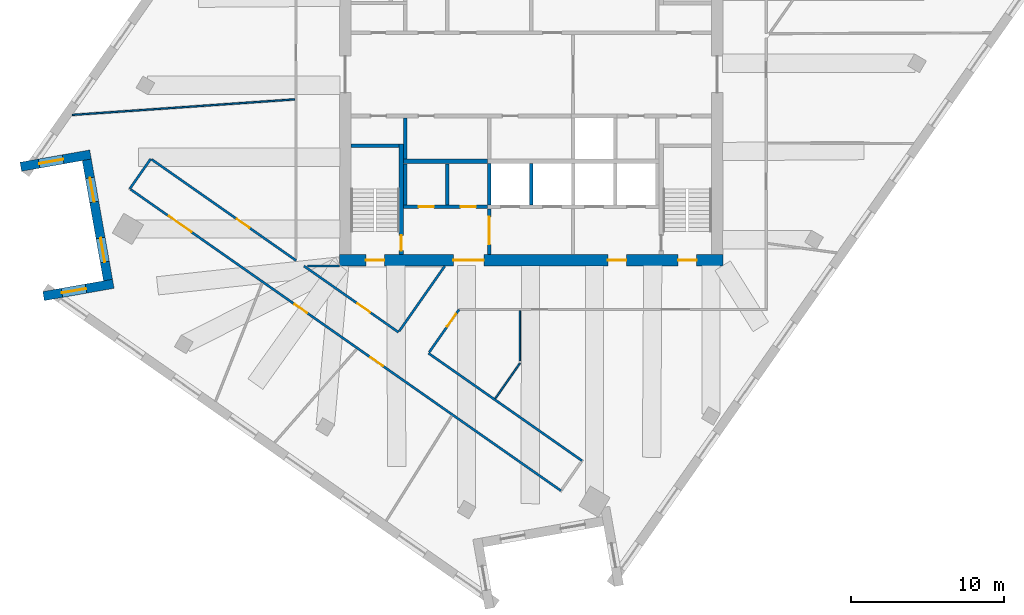
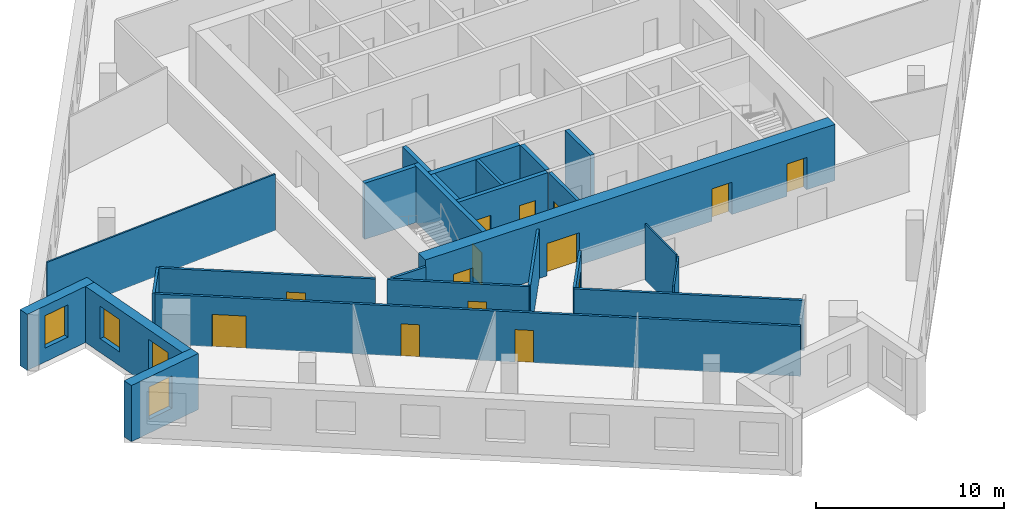
# One storey, part 6 of 13: 25 walls, 14 doors, 4 windows, 18 openings.
"""IFC4 building model written with IfcOpenShell, lengths in metres."""

from ifc_helpers import new_model, si_unit, direction, frame, frame_2d, origin, place, context, subcontext, project, spatial, rectangle, extrude, material, layer, layer_set, type_object, element, fill, save


model = new_model("IFC4")

# Units and contexts
model_context = context("Model", 3, precision=1e-05, world=origin(), true_north=direction((0.0, 1.0)))
body_context = subcontext(model_context, "Body", "Model", "MODEL_VIEW")
ifc_project = project(units=[si_unit("LENGTHUNIT", "METRE"), si_unit("AREAUNIT", "SQUARE_METRE"), si_unit("VOLUMEUNIT", "CUBIC_METRE"), si_unit("PLANEANGLEUNIT", "RADIAN"), si_unit("MASSUNIT", "GRAM", prefix="KILO")], contexts=[model_context])

# Site, building, storey
site_placement = place(None, origin())
site = spatial("IfcSite", under=ifc_project, at=site_placement, CompositionType="ELEMENT")
building_placement = place(site_placement, origin())
building = spatial("IfcBuilding", under=site, at=building_placement, Name="Dilmun Exchange Tower", CompositionType="ELEMENT")
storey_placement = place(building_placement, frame((0.0, 0.0, 242.89990234375)))
storey = spatial("IfcBuildingStorey", under=building, at=storey_placement, Name="L57", CompositionType="ELEMENT", Elevation=242.89990234375)

# Wall, opening, door
ifc_material_1 = material(Name="Concrete C40/50", Category="concrete")
ifc_layer_1 = layer(ifc_material_1, 0.199951171875)
ifc_layer_set_1 = layer_set([ifc_layer_1], Name="Concrete C40/50")
wall_type_1 = type_object("IfcWallType", Name="Core partition wall 200", PredefinedType="PARTITIONING", material=ifc_layer_set_1)
wall_1_placement = place(storey_placement, frame((-2.75, -11.794921875, 0.0), z_axis=(0.0, 0.0, 1.0), x_axis=(0.0, 1.0, 0.0)))
wall_1 = element("IfcWall", 1, at=wall_1_placement, inside=storey, type_object=wall_type_1, Name="L57 core partition wall 01", PredefinedType="PARTITIONING", context=body_context, shape_type="SweptSolid", body=[
    extrude(rectangle(XDim=2.989990234375, YDim=0.199951171875, at=frame_2d((1.4951171875, 0.0))), origin(), (0.0, 0.0, 1.0), 3.64013671875),
])
opening_1_placement = place(wall_1_placement, frame((0.657470703125, 0.0, 0.0)))
opening_1 = element("IfcOpeningElement", 2, at=opening_1_placement, cuts=wall_1, Name="Opening CD5", PredefinedType="OPENING", context=body_context, shape_type="SweptSolid", body=[
    extrude(rectangle(XDim=1.800048828125, YDim=2.10009765625, at=frame_2d((0.89990234375, 1.050048828125))), frame((0.0, 0.10986328125, 0.0), z_axis=(0.0, -1.0, 0.0), x_axis=(1.0, 0.0, 0.0)), (0.0, 0.0, 1.0), 0.219970703125),
])
ifc_material_2 = material(Name="Fire-rated steel door set", Category="steel")
door_type_1 = type_object("IfcDoorType", Name="Stair exit door 1800x2100", OperationType="SINGLE_SWING_LEFT", PredefinedType="DOOR", material=ifc_material_2)
door_1_placement = place(opening_1_placement, origin())
door_1 = element("IfcDoor", 3, at=door_1_placement, inside=storey, type_object=door_type_1, Name="L57 door Service lobby east", OperationType="SINGLE_SWING_LEFT", OverallHeight=2.10009765625, OverallWidth=1.800048828125, PredefinedType="DOOR", context=body_context, shape_type="SweptSolid", body=[
    extrude(rectangle(XDim=1.800048828125, YDim=2.10009765625, at=frame_2d((0.89990234375, 1.050048828125))), frame((0.0, 0.02490234375, 0.0), z_axis=(0.0, -1.0, 0.0), x_axis=(1.0, 0.0, 0.0)), (0.0, 0.0, 1.0), 0.050048828125),
])
fill(opening_1, door_1)

# Wall
wall_2_placement = place(storey_placement, frame((-5.5, -8.544921875, 0.0), z_axis=(0.0, 0.0, 1.0), x_axis=(0.0, 1.0, 0.0)))
element("IfcWall", 4, at=wall_2_placement, inside=storey, type_object=wall_type_1, Name="L57 core partition wall 05", PredefinedType="PARTITIONING", context=body_context, shape_type="SweptSolid", body=[
    extrude(rectangle(XDim=2.68994140625, YDim=0.199951171875, at=frame_2d((1.344970703125, 0.0))), origin(), (0.0, 0.0, 1.0), 3.64013671875),
])

# Wall, openings, doors
ifc_layer_2 = layer(ifc_material_1, 0.25)
ifc_layer_set_2 = layer_set([ifc_layer_2], Name="Concrete C40/50")
wall_type_2 = type_object("IfcWallType", Name="Core partition wall 250", PredefinedType="PARTITIONING", material=ifc_layer_set_2)
wall_3_placement = place(storey_placement, frame((-8.3701171875, -8.675048828125, 0.0), z_axis=(0.0, 0.0, 1.0), x_axis=(1.0, 0.0, 0.0)))
wall_3 = element("IfcWall", 5, at=wall_3_placement, inside=storey, type_object=wall_type_2, Name="L57 core partition wall 03", PredefinedType="PARTITIONING", context=body_context, shape_type="SweptSolid", body=[
    extrude(rectangle(XDim=5.490234375, YDim=0.25, at=frame_2d((2.7451171875, 0.0))), origin(), (0.0, 0.0, 1.0), 3.64013671875),
])
opening_2_placement = place(wall_3_placement, frame((0.9951171875, 0.0, 0.0)))
opening_2 = element("IfcOpeningElement", 6, at=opening_2_placement, cuts=wall_3, Name="Opening CD4", PredefinedType="OPENING", context=body_context, shape_type="SweptSolid", body=[
    extrude(rectangle(XDim=1.0, YDim=2.10009765625, at=frame_2d((0.5, 1.050048828125))), frame((0.0, 0.135009765625, 0.0), z_axis=(0.0, -1.0, 0.0), x_axis=(1.0, 0.0, 0.0)), (0.0, 0.0, 1.0), 0.27001953125),
])
opening_3_placement = place(wall_3_placement, frame((3.7451171875, 0.0, 0.0)))
opening_3 = element("IfcOpeningElement", 7, at=opening_3_placement, cuts=wall_3, Name="Opening CD4", PredefinedType="OPENING", context=body_context, shape_type="SweptSolid", body=[
    extrude(rectangle(XDim=1.0, YDim=2.10009765625, at=frame_2d((0.5, 1.050048828125))), frame((0.0, 0.135009765625, 0.0), z_axis=(0.0, -1.0, 0.0), x_axis=(1.0, 0.0, 0.0)), (0.0, 0.0, 1.0), 0.27001953125),
])
door_type_2 = type_object("IfcDoorType", Name="Core room door 1000x2100", OperationType="SINGLE_SWING_LEFT", PredefinedType="DOOR", material=ifc_material_2)
door_2_placement = place(opening_2_placement, origin())
door_2 = element("IfcDoor", 8, at=door_2_placement, inside=storey, type_object=door_type_2, Name="L57 door Male WC", OperationType="SINGLE_SWING_RIGHT", OverallHeight=2.10009765625, OverallWidth=1.0, PredefinedType="DOOR", context=body_context, shape_type="SweptSolid", body=[
    extrude(rectangle(XDim=1.0, YDim=2.10009765625, at=frame_2d((0.5, 1.050048828125))), frame((0.0, 0.02490234375, 0.0), z_axis=(0.0, -1.0, 0.0), x_axis=(1.0, 0.0, 0.0)), (0.0, 0.0, 1.0), 0.050048828125),
])
fill(opening_2, door_2)
door_3_placement = place(opening_3_placement, origin())
door_3 = element("IfcDoor", 9, at=door_3_placement, inside=storey, type_object=door_type_2, Name="L57 door Female WC", OperationType="SINGLE_SWING_RIGHT", OverallHeight=2.10009765625, OverallWidth=1.0, PredefinedType="DOOR", context=body_context, shape_type="SweptSolid", body=[
    extrude(rectangle(XDim=1.0, YDim=2.10009765625, at=frame_2d((0.5, 1.050048828125))), frame((0.0, 0.02490234375, 0.0), z_axis=(0.0, -1.0, 0.0), x_axis=(1.0, 0.0, 0.0)), (0.0, 0.0, 1.0), 0.050048828125),
])
fill(opening_3, door_3)

# Walls
for number, where, z_axis, x_axis, name in (
    (10, (-8.25, -8.544921875, 0.0), (0.0, 0.0, 1.0), (0.0, 1.0, 0.0), "L57 core partition wall 04"),
    (11, (-8.25, -5.544921875, 0.0), (0.0, 0.0, 1.0), (0.0, 1.0, 0.0), "L57 core partition wall 07"),
):
    element("IfcWall", number, at=place(storey_placement, frame(where, z_axis=z_axis, x_axis=x_axis)), inside=storey, type_object=wall_type_2, Name=name, PredefinedType="PARTITIONING", context=body_context, shape_type="SweptSolid", body=[
        extrude(rectangle(XDim=2.68994140625, YDim=0.25, at=frame_2d((1.344970703125, 0.0))), origin(), (0.0, 0.0, 1.0), 3.64013671875),
    ])
ifc_layer_3 = layer(ifc_material_1, 0.300048828125)
ifc_layer_set_3 = layer_set([ifc_layer_3], Name="Concrete C40/50")
wall_type_3 = type_object("IfcWallType", Name="Core partition wall 300", PredefinedType="PARTITIONING", material=ifc_layer_set_3)
wall_4_placement = place(storey_placement, frame((-8.35009765625, -5.699951171875, 0.0), z_axis=(0.0, 0.0, 1.0), x_axis=(1.0, 0.0, 0.0)))
element("IfcWall", 12, at=wall_4_placement, inside=storey, type_object=wall_type_3, Name="L57 core partition wall 06", PredefinedType="PARTITIONING", context=body_context, shape_type="SweptSolid", body=[
    extrude(rectangle(XDim=5.47021484375, YDim=0.300048828125, at=frame_2d((2.735107421875, 0.0))), origin(), (0.0, 0.0, 1.0), 3.64013671875),
])

# Wall, openings, doors
ifc_material_3 = material(Name="Concrete C50/60", Category="concrete")
ifc_layer_4 = layer(ifc_material_3, 0.75)
ifc_layer_set_4 = layer_set([ifc_layer_4], Name="Concrete C50/60")
wall_type_4 = type_object("IfcWallType", Name="Core shear wall 750 Concrete C50/60", PredefinedType="SHEAR", material=ifc_layer_set_4)
wall_5_placement = place(storey_placement, frame((-12.550048828125, -12.175048828125, 0.0), z_axis=(0.0, 0.0, 1.0), x_axis=(1.0, 0.0, 0.0)))
wall_5 = element("IfcWall", 13, at=wall_5_placement, inside=storey, type_object=wall_type_4, Name="L57 core shear wall S", PredefinedType="SHEAR", context=body_context, shape_type="SweptSolid", body=[
    extrude(rectangle(XDim=25.10009765625, YDim=0.75, at=frame_2d((12.550048828125, 0.0))), origin(), (0.0, 0.0, 1.0), 3.64013671875),
])
opening_4_placement = place(wall_5_placement, frame((7.449951171875, 0.0, 0.0)))
opening_4 = element("IfcOpeningElement", 14, at=opening_4_placement, cuts=wall_5, Name="Opening CD2", PredefinedType="OPENING", context=body_context, shape_type="SweptSolid", body=[
    extrude(rectangle(XDim=2.0, YDim=2.10009765625, at=frame_2d((1.0, 1.050048828125))), frame((0.0, 0.385009765625, 0.0), z_axis=(0.0, -1.0, 0.0), x_axis=(1.0, 0.0, 0.0)), (0.0, 0.0, 1.0), 0.77001953125),
])
opening_5_placement = place(wall_5_placement, frame((17.574951171875, 0.0, 0.0)))
opening_5 = element("IfcOpeningElement", 15, at=opening_5_placement, cuts=wall_5, Name="Opening CD3", PredefinedType="OPENING", context=body_context, shape_type="SweptSolid", body=[
    extrude(rectangle(XDim=1.199951171875, YDim=2.10009765625, at=frame_2d((0.60009765625, 1.050048828125))), frame((0.0, 0.385009765625, 0.0), z_axis=(0.0, -1.0, 0.0), x_axis=(1.0, 0.0, 0.0)), (0.0, 0.0, 1.0), 0.77001953125),
])
opening_6_placement = place(wall_5_placement, frame((1.72509765625, 0.0, 0.0)))
opening_6 = element("IfcOpeningElement", 16, at=opening_6_placement, cuts=wall_5, Name="Opening CD3", PredefinedType="OPENING", context=body_context, shape_type="SweptSolid", body=[
    extrude(rectangle(XDim=1.199951171875, YDim=2.10009765625, at=frame_2d((0.60009765625, 1.050048828125))), frame((0.0, 0.385009765625, 0.0), z_axis=(0.0, -1.0, 0.0), x_axis=(1.0, 0.0, 0.0)), (0.0, 0.0, 1.0), 0.77001953125),
])
opening_7_placement = place(wall_5_placement, frame((22.175048828125, 0.0, 0.0)))
opening_7 = element("IfcOpeningElement", 17, at=opening_7_placement, cuts=wall_5, Name="Opening CD3", PredefinedType="OPENING", context=body_context, shape_type="SweptSolid", body=[
    extrude(rectangle(XDim=1.199951171875, YDim=2.10009765625, at=frame_2d((0.60009765625, 1.050048828125))), frame((0.0, 0.385009765625, 0.0), z_axis=(0.0, -1.0, 0.0), x_axis=(1.0, 0.0, 0.0)), (0.0, 0.0, 1.0), 0.77001953125),
])
door_type_3 = type_object("IfcDoorType", Name="Core service door 2000x2100", OperationType="DOUBLE_DOOR_DOUBLE_SWING", PredefinedType="DOOR", material=ifc_material_2)
door_4_placement = place(opening_4_placement, origin())
door_4 = element("IfcDoor", 18, at=door_4_placement, inside=storey, type_object=door_type_3, Name="L57 door South service lobby", OperationType="SINGLE_SWING_LEFT", OverallHeight=2.10009765625, OverallWidth=2.0, PredefinedType="DOOR", context=body_context, shape_type="SweptSolid", body=[
    extrude(rectangle(XDim=2.0, YDim=2.10009765625, at=frame_2d((1.0, 1.050048828125))), frame((0.0, 0.02490234375, 0.0), z_axis=(0.0, -1.0, 0.0), x_axis=(1.0, 0.0, 0.0)), (0.0, 0.0, 1.0), 0.050048828125),
])
fill(opening_4, door_4)
door_type_4 = type_object("IfcDoorType", Name="Stair exit door 1200x2100", OperationType="SINGLE_SWING_LEFT", PredefinedType="DOOR", material=ifc_material_2)
door_5_placement = place(opening_5_placement, origin())
door_5 = element("IfcDoor", 19, at=door_5_placement, inside=storey, type_object=door_type_4, Name="L57 door Fire-fighting lobby", OperationType="SINGLE_SWING_LEFT", OverallHeight=2.10009765625, OverallWidth=1.199951171875, PredefinedType="DOOR", context=body_context, shape_type="SweptSolid", body=[
    extrude(rectangle(XDim=1.199951171875, YDim=2.10009765625, at=frame_2d((0.60009765625, 1.050048828125))), frame((0.0, 0.02490234375, 0.0), z_axis=(0.0, -1.0, 0.0), x_axis=(1.0, 0.0, 0.0)), (0.0, 0.0, 1.0), 0.050048828125),
])
fill(opening_5, door_5)
door_6_placement = place(opening_6_placement, origin())
door_6 = element("IfcDoor", 20, at=door_6_placement, inside=storey, type_object=door_type_4, Name="L57 door Stair ST2", OperationType="SINGLE_SWING_LEFT", OverallHeight=2.10009765625, OverallWidth=1.199951171875, PredefinedType="DOOR", context=body_context, shape_type="SweptSolid", body=[
    extrude(rectangle(XDim=1.199951171875, YDim=2.10009765625, at=frame_2d((0.60009765625, 1.050048828125))), frame((0.0, 0.02490234375, 0.0), z_axis=(0.0, -1.0, 0.0), x_axis=(1.0, 0.0, 0.0)), (0.0, 0.0, 1.0), 0.050048828125),
])
fill(opening_6, door_6)
door_7_placement = place(opening_7_placement, origin())
door_7 = element("IfcDoor", 21, at=door_7_placement, inside=storey, type_object=door_type_4, Name="L57 door Stair ST3", OperationType="SINGLE_SWING_LEFT", OverallHeight=2.10009765625, OverallWidth=1.199951171875, PredefinedType="DOOR", context=body_context, shape_type="SweptSolid", body=[
    extrude(rectangle(XDim=1.199951171875, YDim=2.10009765625, at=frame_2d((0.60009765625, 1.050048828125))), frame((0.0, 0.02490234375, 0.0), z_axis=(0.0, -1.0, 0.0), x_axis=(1.0, 0.0, 0.0)), (0.0, 0.0, 1.0), 0.050048828125),
])
fill(opening_7, door_7)

# Wall
ifc_material_4 = material(Name="Corridor wall 150")
ifc_layer_5 = layer(ifc_material_4, 0.14990234375)
ifc_layer_set_5 = layer_set([ifc_layer_5], Name="Corridor wall 150")
wall_type_5 = type_object("IfcWallType", Name="Corridor wall 150", PredefinedType="PARTITIONING", material=ifc_layer_set_5)
wall_6_placement = place(storey_placement, frame((-26.2919921875, -7.493896484375, 0.0), z_axis=(0.0, 0.0, 1.0), x_axis=(0.573708088123, 0.819059844958, 0.0)))
element("IfcWall", 22, at=wall_6_placement, inside=storey, type_object=wall_type_5, Name="Corridor wall", PredefinedType="PARTITIONING", context=body_context, shape_type="SweptSolid", body=[
    extrude(rectangle(XDim=2.400146484375, YDim=0.14990234375, at=frame_2d((1.2001953125, 0.0))), origin(), (0.0, 0.0, 1.0), 3.239990234375),
])

# Wall, openings, doors
wall_7_placement = place(storey_placement, frame((-26.230712890625, -7.537109375, 0.0), z_axis=(0.0, 0.0, 1.0), x_axis=(0.819166569978, -0.573555690959, 0.0)))
wall_7 = element("IfcWall", 23, at=wall_7_placement, inside=storey, type_object=wall_type_5, Name="Corridor wall", PredefinedType="PARTITIONING", context=body_context, shape_type="SweptSolid", body=[
    extrude(rectangle(XDim=34.40283203125, YDim=0.14990234375, at=frame_2d((17.201416015625, 0.0))), origin(), (0.0, 0.0, 1.0), 3.239990234375),
])
opening_8_placement = place(wall_7_placement, frame((3.050048828125, 0.0, 0.0)))
opening_8 = element("IfcOpeningElement", 24, at=opening_8_placement, cuts=wall_7, Name="Opening TF57-D01", PredefinedType="OPENING", context=body_context, shape_type="SweptSolid", body=[
    extrude(rectangle(XDim=1.800048828125, YDim=2.10009765625, at=frame_2d((0.89990234375, 1.050048828125))), frame((0.0, 0.0849609375, 0.0), z_axis=(0.0, -1.0, 0.0), x_axis=(1.0, 0.0, 0.0)), (0.0, 0.0, 1.0), 0.169921875),
])
opening_9_placement = place(wall_7_placement, frame((13.102783203125, 0.0, 0.0)))
opening_9 = element("IfcOpeningElement", 25, at=opening_9_placement, cuts=wall_7, Name="Opening TF57-D04", PredefinedType="OPENING", context=body_context, shape_type="SweptSolid", body=[
    extrude(rectangle(XDim=1.0, YDim=2.10009765625, at=frame_2d((0.5, 1.050048828125))), frame((0.0, 0.0849609375, 0.0), z_axis=(0.0, -1.0, 0.0), x_axis=(1.0, 0.0, 0.0)), (0.0, 0.0, 1.0), 0.169921875),
])
opening_10_placement = place(wall_7_placement, frame((19.17333984375, 0.0, 0.0)))
opening_10 = element("IfcOpeningElement", 26, at=opening_10_placement, cuts=wall_7, Name="Opening TF57-D05", PredefinedType="OPENING", context=body_context, shape_type="SweptSolid", body=[
    extrude(rectangle(XDim=1.0, YDim=2.10009765625, at=frame_2d((0.5, 1.050048828125))), frame((0.0, 0.0849609375, 0.0), z_axis=(0.0, -1.0, 0.0), x_axis=(1.0, 0.0, 0.0)), (0.0, 0.0, 1.0), 0.169921875),
])
ifc_material_5 = material(Name="Fire door 1000 x 2100")
door_type_5 = type_object("IfcDoorType", Name="Fire door 1000 x 2100", OperationType="NOTDEFINED", PredefinedType="DOOR", material=ifc_material_5)
door_8_placement = place(opening_9_placement, frame((1.0, 0.0, 0.0), z_axis=(0.0, 0.0, 1.0), x_axis=(-1.0, 0.0, 0.0)))
door_8 = element("IfcDoor", 27, at=door_8_placement, inside=storey, type_object=door_type_5, Name="Door TF57-D04", OperationType="SINGLE_SWING_LEFT", OverallHeight=2.10009765625, OverallWidth=1.0, PredefinedType="DOOR", context=body_context, shape_type="SweptSolid", body=[
    extrude(rectangle(XDim=1.0, YDim=2.10009765625, at=frame_2d((0.5, 1.050048828125))), frame((0.0, 0.02490234375, 0.0), z_axis=(0.0, -1.0, 0.0), x_axis=(1.0, 0.0, 0.0)), (0.0, 0.0, 1.0), 0.050048828125),
])
fill(opening_9, door_8)
door_9_placement = place(opening_10_placement, frame((1.0, 0.0, 0.0), z_axis=(0.0, 0.0, 1.0), x_axis=(-1.0, 0.0, 0.0)))
door_9 = element("IfcDoor", 28, at=door_9_placement, inside=storey, type_object=door_type_5, Name="Door TF57-D05", OperationType="SINGLE_SWING_RIGHT", OverallHeight=2.10009765625, OverallWidth=1.0, PredefinedType="DOOR", context=body_context, shape_type="SweptSolid", body=[
    extrude(rectangle(XDim=1.0, YDim=2.10009765625, at=frame_2d((0.5, 1.050048828125))), frame((0.0, 0.02490234375, 0.0), z_axis=(0.0, -1.0, 0.0), x_axis=(1.0, 0.0, 0.0)), (0.0, 0.0, 1.0), 0.050048828125),
])
fill(opening_10, door_9)
ifc_material_6 = material(Name="Fire door pair 1800 x 2100")
door_type_6 = type_object("IfcDoorType", Name="Fire door pair 1800 x 2100", OperationType="NOTDEFINED", PredefinedType="DOOR", material=ifc_material_6)
door_10_placement = place(opening_8_placement, frame((1.800048828125, 0.0, 0.0), z_axis=(0.0, 0.0, 1.0), x_axis=(-1.0, 0.0, 0.0)))
door_10 = element("IfcDoor", 29, at=door_10_placement, inside=storey, type_object=door_type_6, Name="Door TF57-D01", OperationType="DOUBLE_DOOR_SINGLE_SWING", OverallHeight=2.10009765625, OverallWidth=1.800048828125, PredefinedType="DOOR", context=body_context, shape_type="SweptSolid", body=[
    extrude(rectangle(XDim=1.800048828125, YDim=2.10009765625, at=frame_2d((0.89990234375, 1.050048828125))), frame((0.0, 0.02490234375, 0.0), z_axis=(0.0, -1.0, 0.0), x_axis=(1.0, 0.0, 0.0)), (0.0, 0.0, 1.0), 0.050048828125),
])
fill(opening_8, door_10)

# Wall, opening, door
wall_8_placement = place(storey_placement, frame((-24.853515625, -5.571044921875, 0.0), z_axis=(0.0, 0.0, 1.0), x_axis=(0.819176259714, -0.573541851586, 0.0)))
wall_8 = element("IfcWall", 30, at=wall_8_placement, inside=storey, type_object=wall_type_5, Name="Corridor wall", PredefinedType="PARTITIONING", context=body_context, shape_type="SweptSolid", body=[
    extrude(rectangle(XDim=11.540283203125, YDim=0.14990234375, at=frame_2d((5.77001953125, 0.0))), origin(), (0.0, 0.0, 1.0), 3.239990234375),
])
opening_11_placement = place(wall_8_placement, frame((6.800048828125, 0.0, 0.0)))
opening_11 = element("IfcOpeningElement", 31, at=opening_11_placement, cuts=wall_8, Name="Opening TF57-D02", PredefinedType="OPENING", context=body_context, shape_type="SweptSolid", body=[
    extrude(rectangle(XDim=1.0, YDim=2.10009765625, at=frame_2d((0.5, 1.050048828125))), frame((0.0, 0.0849609375, 0.0), z_axis=(0.0, -1.0, 0.0), x_axis=(1.0, 0.0, 0.0)), (0.0, 0.0, 1.0), 0.169921875),
])
door_11_placement = place(opening_11_placement, origin())
door_11 = element("IfcDoor", 32, at=door_11_placement, inside=storey, type_object=door_type_5, Name="Door TF57-D02", OperationType="SINGLE_SWING_RIGHT", OverallHeight=2.10009765625, OverallWidth=1.0, PredefinedType="DOOR", context=body_context, shape_type="SweptSolid", body=[
    extrude(rectangle(XDim=1.0, YDim=2.10009765625, at=frame_2d((0.5, 1.050048828125))), frame((0.0, 0.02490234375, 0.0), z_axis=(0.0, -1.0, 0.0), x_axis=(1.0, 0.0, 0.0)), (0.0, 0.0, 1.0), 0.050048828125),
])
fill(opening_11, door_11)

wall_9_placement = place(storey_placement, frame((-14.885986328125, -12.550048828125, 0.0), z_axis=(0.0, 0.0, 1.0), x_axis=(0.819131763787, -0.57360539882, 0.0)))
wall_9 = element("IfcWall", 33, at=wall_9_placement, inside=storey, type_object=wall_type_5, Name="Corridor wall", PredefinedType="PARTITIONING", context=body_context, shape_type="SweptSolid", body=[
    extrude(rectangle(XDim=7.55908203125, YDim=0.14990234375, at=frame_2d((3.779541015625, 0.0))), origin(), (0.0, 0.0, 1.0), 3.239990234375),
])
opening_12_placement = place(wall_9_placement, frame((4.300048828125, 0.0, 0.0)))
opening_12 = element("IfcOpeningElement", 34, at=opening_12_placement, cuts=wall_9, Name="Opening TF57-D06", PredefinedType="OPENING", context=body_context, shape_type="SweptSolid", body=[
    extrude(rectangle(XDim=1.0, YDim=2.10009765625, at=frame_2d((0.5, 1.050048828125))), frame((0.0, 0.0849609375, 0.0), z_axis=(0.0, -1.0, 0.0), x_axis=(1.0, 0.0, 0.0)), (0.0, 0.0, 1.0), 0.169921875),
])
door_12_placement = place(opening_12_placement, origin())
door_12 = element("IfcDoor", 35, at=door_12_placement, inside=storey, type_object=door_type_5, Name="Door TF57-D06", OperationType="SINGLE_SWING_LEFT", OverallHeight=2.10009765625, OverallWidth=1.0, PredefinedType="DOOR", context=body_context, shape_type="SweptSolid", body=[
    extrude(rectangle(XDim=1.0, YDim=2.10009765625, at=frame_2d((0.5, 1.050048828125))), frame((0.0, 0.02490234375, 0.0), z_axis=(0.0, -1.0, 0.0), x_axis=(1.0, 0.0, 0.0)), (0.0, 0.0, 1.0), 0.050048828125),
])
fill(opening_12, door_12)

# Walls
wall_10_placement = place(storey_placement, frame((-14.648193359375, -12.550048828125, 0.0), z_axis=(0.0, 0.0, 1.0), x_axis=(1.0, 0.0, 0.0)))
element("IfcWall", 36, at=wall_10_placement, inside=storey, type_object=wall_type_5, Name="Corridor wall", PredefinedType="PARTITIONING", context=body_context, shape_type="SweptSolid", body=[
    extrude(rectangle(XDim=2.09814453125, YDim=0.14990234375, at=frame_2d((1.049072265625, 0.0))), origin(), (0.0, 0.0, 1.0), 3.239990234375),
])
wall_11_placement = place(storey_placement, frame((-8.65087890625, -16.82470703125, 0.0), z_axis=(0.0, 0.0, 1.0), x_axis=(0.57354712093, 0.819172570386, 0.0)))
element("IfcWall", 37, at=wall_11_placement, inside=storey, type_object=wall_type_5, Name="Corridor wall", PredefinedType="PARTITIONING", context=body_context, shape_type="SweptSolid", body=[
    extrude(rectangle(XDim=5.21826171875, YDim=0.14990234375, at=frame_2d((2.609130859375, 0.0))), origin(), (0.0, 0.0, 1.0), 3.239990234375),
])
wall_12_placement = place(storey_placement, frame((-6.72802734375, -18.262939453125, 0.0), z_axis=(0.0, 0.0, 1.0), x_axis=(0.819171177891, -0.573549109765, 0.0)))
element("IfcWall", 38, at=wall_12_placement, inside=storey, type_object=wall_type_5, Name="Corridor wall", PredefinedType="PARTITIONING", context=body_context, shape_type="SweptSolid", body=[
    extrude(rectangle(XDim=12.2744140625, YDim=0.14990234375, at=frame_2d((6.13720703125, 0.0))), origin(), (0.0, 0.0, 1.0), 3.239990234375),
])

# Wall, opening, door
wall_13_placement = place(storey_placement, frame((-6.68505859375, -18.201416015625, 0.0), z_axis=(0.0, 0.0, 1.0), x_axis=(0.573438386326, 0.819248690623, 0.0)))
wall_13 = element("IfcWall", 39, at=wall_13_placement, inside=storey, type_object=wall_type_5, Name="Corridor wall", PredefinedType="PARTITIONING", context=body_context, shape_type="SweptSolid", body=[
    extrude(rectangle(XDim=3.419677734375, YDim=0.14990234375, at=frame_2d((1.7099609375, 0.0))), origin(), (0.0, 0.0, 1.0), 3.239990234375),
])
opening_13_placement = place(wall_13_placement, frame((2.050048828125, 0.0, 0.0)))
opening_13 = element("IfcOpeningElement", 40, at=opening_13_placement, cuts=wall_13, Name="Opening TF57-D09", PredefinedType="OPENING", context=body_context, shape_type="SweptSolid", body=[
    extrude(rectangle(XDim=1.0, YDim=2.10009765625, at=frame_2d((0.5, 1.050048828125))), frame((0.0, 0.0849609375, 0.0), z_axis=(0.0, -1.0, 0.0), x_axis=(1.0, 0.0, 0.0)), (0.0, 0.0, 1.0), 0.169921875),
])
door_13_placement = place(opening_13_placement, frame((1.0, 0.0, 0.0), z_axis=(0.0, 0.0, 1.0), x_axis=(-1.0, 0.0, 0.0)))
door_13 = element("IfcDoor", 41, at=door_13_placement, inside=storey, type_object=door_type_5, Name="Door TF57-D09", OperationType="SINGLE_SWING_LEFT", OverallHeight=2.10009765625, OverallWidth=1.0, PredefinedType="DOOR", context=body_context, shape_type="SweptSolid", body=[
    extrude(rectangle(XDim=1.0, YDim=2.10009765625, at=frame_2d((0.5, 1.050048828125))), frame((0.0, 0.02490234375, 0.0), z_axis=(0.0, -1.0, 0.0), x_axis=(1.0, 0.0, 0.0)), (0.0, 0.0, 1.0), 0.050048828125),
])
fill(opening_13, door_13)

# Walls
ifc_layer_6 = layer(ifc_material_1, 0.25)
ifc_layer_set_6 = layer_set([ifc_layer_6], Name="Concrete C40/50")
wall_type_6 = type_object("IfcWallType", Name="Lift shaft wall 250", PredefinedType="SOLIDWALL", material=ifc_layer_set_6)
for number, where, z_axis, x_axis, name in (
    (42, (-2.75, -8.550048828125, 0.0), (0.0, 0.0, 1.0), (0.0, 1.0, 0.0), "L57 lift shaft divider S22"),
    (43, (0.0, -8.550048828125, 0.0), (0.0, 0.0, 1.0), (0.0, 1.0, 0.0), "L57 lift shaft divider S23"),
):
    element("IfcWall", number, at=place(storey_placement, frame(where, z_axis=z_axis, x_axis=x_axis)), inside=storey, type_object=wall_type_6, Name=name, PredefinedType="SOLIDWALL", context=body_context, shape_type="SweptSolid", body=[
        extrude(rectangle(XDim=2.699951171875, YDim=0.25, at=frame_2d((1.35009765625, 0.0))), origin(), (0.0, 0.0, 1.0), 3.64013671875),
    ])
ifc_material_7 = material(Name="Partition 100")
ifc_layer_7 = layer(ifc_material_7, 0.10009765625)
ifc_layer_set_7 = layer_set([ifc_layer_7], Name="Partition 100")
wall_type_7 = type_object("IfcWallType", Name="Partition 100", PredefinedType="PARTITIONING", material=ifc_layer_set_7)
wall_14_placement = place(storey_placement, frame((-30.05712890625, -2.656005859375, 0.0), z_axis=(0.0, 0.0, 1.0), x_axis=(0.99756824466, 0.069696465096, 0.0)))
element("IfcWall", 44, at=wall_14_placement, inside=storey, type_object=wall_type_7, Name="Partition", PredefinedType="PARTITIONING", context=body_context, shape_type="SweptSolid", body=[
    extrude(rectangle(XDim=14.6142578125, YDim=0.10009765625, at=frame_2d((7.30712890625, 0.0))), origin(), (0.0, 0.0, 1.0), 3.64013671875),
])
wall_15_placement = place(storey_placement, frame((-2.35888671875, -21.230712890625, 0.0), z_axis=(0.0, 0.0, 1.0), x_axis=(0.573549469352, 0.819170926123, 0.0)))
element("IfcWall", 45, at=wall_15_placement, inside=storey, type_object=wall_type_7, Name="Partition", PredefinedType="PARTITIONING", context=body_context, shape_type="SweptSolid", body=[
    extrude(rectangle(XDim=2.82080078125, YDim=0.10009765625, at=frame_2d((1.410400390625, 0.0))), origin(), (0.0, 0.0, 1.0), 3.64013671875),
])
wall_16_placement = place(storey_placement, frame((-0.740966796875, -18.761474609375, 0.0), z_axis=(0.0, 0.0, 1.0), x_axis=(0.0, 1.0, 0.0)))
element("IfcWall", 46, at=wall_16_placement, inside=storey, type_object=wall_type_7, Name="Partition", PredefinedType="PARTITIONING", context=body_context, shape_type="SweptSolid", body=[
    extrude(rectangle(XDim=3.286376953125, YDim=0.10009765625, at=frame_2d((1.64306640625, 0.0))), origin(), (0.0, 0.0, 1.0), 3.64013671875),
])

# Wall, opening, window
ifc_material_8 = material(Name="Precast concrete C50/60", Category="concrete")
ifc_layer_8 = layer(ifc_material_8, 0.60009765625)
ifc_layer_set_8 = layer_set([ifc_layer_8], Name="Precast concrete C50/60")
wall_type_8 = type_object("IfcWallType", Name="Precast stone-clad wall 600", PredefinedType="STANDARD", material=ifc_layer_set_8)
wall_17_placement = place(storey_placement, frame((-33.4287109375, -6.051513671875, 0.0), z_axis=(0.0, 0.0, 1.0), x_axis=(0.984808997794, 0.173641118013, 0.0)))
wall_17 = element("IfcWall", 47, at=wall_17_placement, inside=storey, type_object=wall_type_8, Name="Facade wall L57-04", PredefinedType="STANDARD", context=body_context, shape_type="SweptSolid", body=[
    extrude(rectangle(XDim=4.635498046875, YDim=0.60009765625, at=frame_2d((2.31787109375, 0.0))), origin(), (0.0, 0.0, 1.0), 3.64013671875),
])
opening_14_placement = place(wall_17_placement, frame((1.2177734375, 0.0, 0.89990234375)))
opening_14 = element("IfcOpeningElement", 48, at=opening_14_placement, cuts=wall_17, Name="Opening W160-210", PredefinedType="OPENING", context=body_context, shape_type="SweptSolid", body=[
    extrude(rectangle(XDim=1.60009765625, YDim=2.10009765625, at=frame_2d((0.800048828125, 1.050048828125))), frame((0.0, 0.31005859375, 0.0), z_axis=(0.0, -1.0, 0.0), x_axis=(1.0, 0.0, 0.0)), (0.0, 0.0, 1.0), 0.6201171875),
])
ifc_material_9 = material(Name="Clear low-emissivity glass in aluminium frame", Category="aluminium")
window_type = type_object("IfcWindowType", Name="Punched window 1600 x 2100", PartitioningType="DOUBLE_PANEL_VERTICAL", PredefinedType="WINDOW", material=ifc_material_9)
window_1_placement = place(opening_14_placement, origin())
window_1 = element("IfcWindow", 49, at=window_1_placement, inside=storey, type_object=window_type, Name="Window 5.1", OverallHeight=2.10009765625, OverallWidth=1.60009765625, PartitioningType="SINGLE_PANEL", PredefinedType="WINDOW", context=body_context, shape_type="SweptSolid", body=[
    extrude(rectangle(XDim=1.60009765625, YDim=2.10009765625, at=frame_2d((0.800048828125, 1.050048828125))), frame((0.0, 0.030029296875, 0.0), z_axis=(0.0, -1.0, 0.0), x_axis=(1.0, 0.0, 0.0)), (0.0, 0.0, 1.0), 0.06005859375),
])
fill(opening_14, window_1)

# Wall, openings, windows
wall_18_placement = place(storey_placement, frame((-29.10693359375, -5.593994140625, 0.0), z_axis=(0.0, 0.0, 1.0), x_axis=(0.173640837858, -0.98480904719, 0.0)))
wall_18 = element("IfcWall", 50, at=wall_18_placement, inside=storey, type_object=wall_type_8, Name="Facade wall L57-05", PredefinedType="STANDARD", context=body_context, shape_type="SweptSolid", body=[
    extrude(rectangle(XDim=8.000244140625, YDim=0.60009765625, at=frame_2d((4.0, 0.0))), origin(), (0.0, 0.0, 1.0), 3.64013671875),
])
opening_15_placement = place(wall_18_placement, frame((1.199951171875, 0.0, 0.89990234375)))
opening_15 = element("IfcOpeningElement", 51, at=opening_15_placement, cuts=wall_18, Name="Opening W160-210", PredefinedType="OPENING", context=body_context, shape_type="SweptSolid", body=[
    extrude(rectangle(XDim=1.60009765625, YDim=2.10009765625, at=frame_2d((0.800048828125, 1.050048828125))), frame((0.0, 0.31005859375, 0.0), z_axis=(0.0, -1.0, 0.0), x_axis=(1.0, 0.0, 0.0)), (0.0, 0.0, 1.0), 0.6201171875),
])
opening_16_placement = place(wall_18_placement, frame((5.199951171875, 0.0, 0.89990234375)))
opening_16 = element("IfcOpeningElement", 52, at=opening_16_placement, cuts=wall_18, Name="Opening W160-210", PredefinedType="OPENING", context=body_context, shape_type="SweptSolid", body=[
    extrude(rectangle(XDim=1.60009765625, YDim=2.10009765625, at=frame_2d((0.800048828125, 1.050048828125))), frame((0.0, 0.31005859375, 0.0), z_axis=(0.0, -1.0, 0.0), x_axis=(1.0, 0.0, 0.0)), (0.0, 0.0, 1.0), 0.6201171875),
])
window_2_placement = place(opening_15_placement, origin())
window_2 = element("IfcWindow", 53, at=window_2_placement, inside=storey, type_object=window_type, Name="Window 6.1", OverallHeight=2.10009765625, OverallWidth=1.60009765625, PartitioningType="SINGLE_PANEL", PredefinedType="WINDOW", context=body_context, shape_type="SweptSolid", body=[
    extrude(rectangle(XDim=1.60009765625, YDim=2.10009765625, at=frame_2d((0.800048828125, 1.050048828125))), frame((0.0, 0.030029296875, 0.0), z_axis=(0.0, -1.0, 0.0), x_axis=(1.0, 0.0, 0.0)), (0.0, 0.0, 1.0), 0.06005859375),
])
fill(opening_15, window_2)
window_3_placement = place(opening_16_placement, origin())
window_3 = element("IfcWindow", 54, at=window_3_placement, inside=storey, type_object=window_type, Name="Window 6.2", OverallHeight=2.10009765625, OverallWidth=1.60009765625, PartitioningType="SINGLE_PANEL", PredefinedType="WINDOW", context=body_context, shape_type="SweptSolid", body=[
    extrude(rectangle(XDim=1.60009765625, YDim=2.10009765625, at=frame_2d((0.800048828125, 1.050048828125))), frame((0.0, 0.030029296875, 0.0), z_axis=(0.0, -1.0, 0.0), x_axis=(1.0, 0.0, 0.0)), (0.0, 0.0, 1.0), 0.06005859375),
])
fill(opening_16, window_3)

# Wall, opening, window
wall_19_placement = place(storey_placement, frame((-27.3701171875, -13.7158203125, 0.0), z_axis=(0.0, 0.0, 1.0), x_axis=(-0.984799990421, -0.173692195754, 0.0)))
wall_19 = element("IfcWall", 55, at=wall_19_placement, inside=storey, type_object=wall_type_8, Name="Facade wall L57-06", PredefinedType="STANDARD", context=body_context, shape_type="SweptSolid", body=[
    extrude(rectangle(XDim=4.6357421875, YDim=0.60009765625, at=frame_2d((2.31787109375, 0.0))), origin(), (0.0, 0.0, 1.0), 3.64013671875),
])
opening_17_placement = place(wall_19_placement, frame((1.81787109375, 0.0, 0.89990234375)))
opening_17 = element("IfcOpeningElement", 56, at=opening_17_placement, cuts=wall_19, Name="Opening W160-210", PredefinedType="OPENING", context=body_context, shape_type="SweptSolid", body=[
    extrude(rectangle(XDim=1.60009765625, YDim=2.10009765625, at=frame_2d((0.800048828125, 1.050048828125))), frame((0.0, 0.31005859375, 0.0), z_axis=(0.0, -1.0, 0.0), x_axis=(1.0, 0.0, 0.0)), (0.0, 0.0, 1.0), 0.6201171875),
])
window_4_placement = place(opening_17_placement, origin())
window_4 = element("IfcWindow", 57, at=window_4_placement, inside=storey, type_object=window_type, Name="Window 7.1", OverallHeight=2.10009765625, OverallWidth=1.60009765625, PartitioningType="SINGLE_PANEL", PredefinedType="WINDOW", context=body_context, shape_type="SweptSolid", body=[
    extrude(rectangle(XDim=1.60009765625, YDim=2.10009765625, at=frame_2d((0.800048828125, 1.050048828125))), frame((0.0, 0.030029296875, 0.0), z_axis=(0.0, -1.0, 0.0), x_axis=(1.0, 0.0, 0.0)), (0.0, 0.0, 1.0), 0.06005859375),
])
fill(opening_17, window_4)

# Wall
ifc_layer_9 = layer(ifc_material_1, 0.25)
ifc_layer_set_9 = layer_set([ifc_layer_9], Name="Concrete C40/50")
wall_type_9 = type_object("IfcWallType", Name="Stair end wall 250", PredefinedType="SOLIDWALL", material=ifc_layer_set_9)
wall_20_placement = place(storey_placement, frame((-8.64990234375, -4.675048828125, 0.0), z_axis=(0.0, 0.0, 1.0), x_axis=(-1.0, 0.0, 0.0)))
element("IfcWall", 58, at=wall_20_placement, inside=storey, type_object=wall_type_9, Name="L57 ST2 far wall", PredefinedType="SOLIDWALL", context=body_context, shape_type="SweptSolid", body=[
    extrude(rectangle(XDim=3.150146484375, YDim=0.25, at=frame_2d((1.5751953125, 0.0))), origin(), (0.0, 0.0, 1.0), 3.64013671875),
])

# Wall, opening, door
ifc_layer_10 = layer(ifc_material_1, 0.27490234375)
ifc_layer_set_10 = layer_set([ifc_layer_10], Name="Concrete C40/50")
wall_type_10 = type_object("IfcWallType", Name="Stair wall 275", PredefinedType="SOLIDWALL", material=ifc_layer_set_10)
wall_21_placement = place(storey_placement, frame((-8.512451171875, -4.550048828125, 0.0), z_axis=(0.0, 0.0, 1.0), x_axis=(0.0, -1.0, 0.0)))
wall_21 = element("IfcWall", 59, at=wall_21_placement, inside=storey, type_object=wall_type_10, Name="L57 ST2 wall to lift block", PredefinedType="SOLIDWALL", context=body_context, shape_type="SweptSolid", body=[
    extrude(rectangle(XDim=7.25, YDim=0.27490234375, at=frame_2d((3.625, 0.0))), origin(), (0.0, 0.0, 1.0), 3.64013671875),
])
opening_18_placement = place(wall_21_placement, frame((6.0, 0.0, 0.0)))
opening_18 = element("IfcOpeningElement", 60, at=opening_18_placement, cuts=wall_21, Name="Opening CD4", PredefinedType="OPENING", context=body_context, shape_type="SweptSolid", body=[
    extrude(rectangle(XDim=1.0, YDim=2.10009765625, at=frame_2d((0.5, 1.050048828125))), frame((0.0, 0.1474609375, 0.0), z_axis=(0.0, -1.0, 0.0), x_axis=(1.0, 0.0, 0.0)), (0.0, 0.0, 1.0), 0.294921875),
])
door_14_placement = place(opening_18_placement, origin())
door_14 = element("IfcDoor", 61, at=door_14_placement, inside=storey, type_object=door_type_2, Name="L57 door ST2 from lobby", OperationType="SINGLE_SWING_LEFT", OverallHeight=2.10009765625, OverallWidth=1.0, PredefinedType="DOOR", context=body_context, shape_type="SweptSolid", body=[
    extrude(rectangle(XDim=1.0, YDim=2.10009765625, at=frame_2d((0.5, 1.050048828125))), frame((0.0, 0.02490234375, 0.0), z_axis=(0.0, -1.0, 0.0), x_axis=(1.0, 0.0, 0.0)), (0.0, 0.0, 1.0), 0.050048828125),
])
fill(opening_18, door_14)

save(model, "model.ifc")
